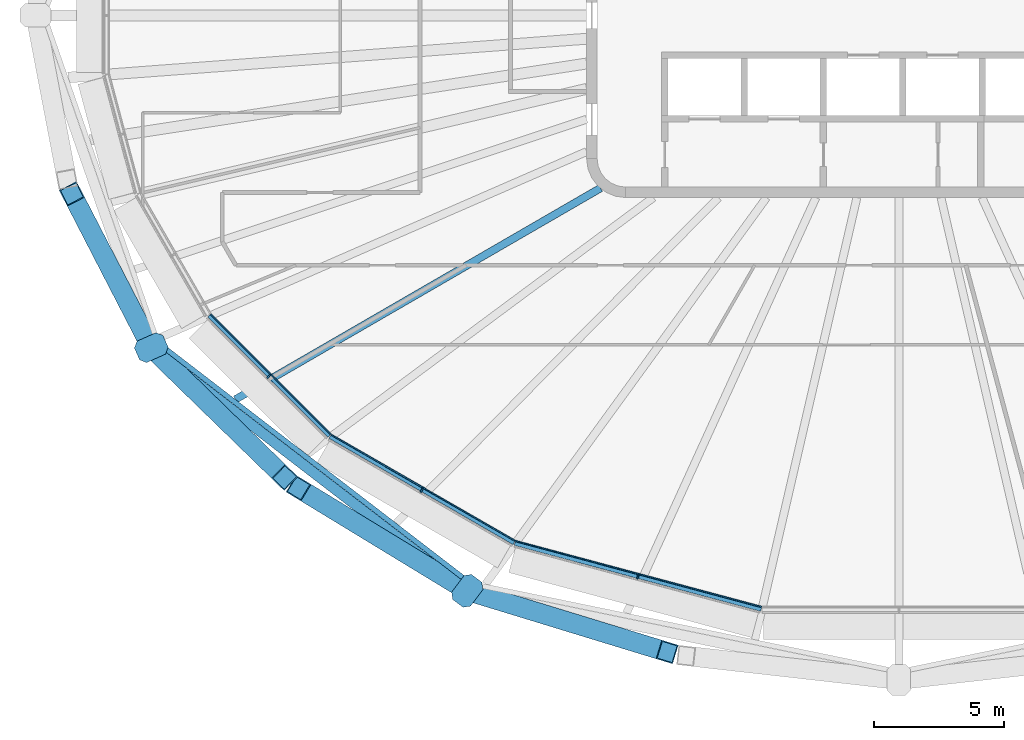
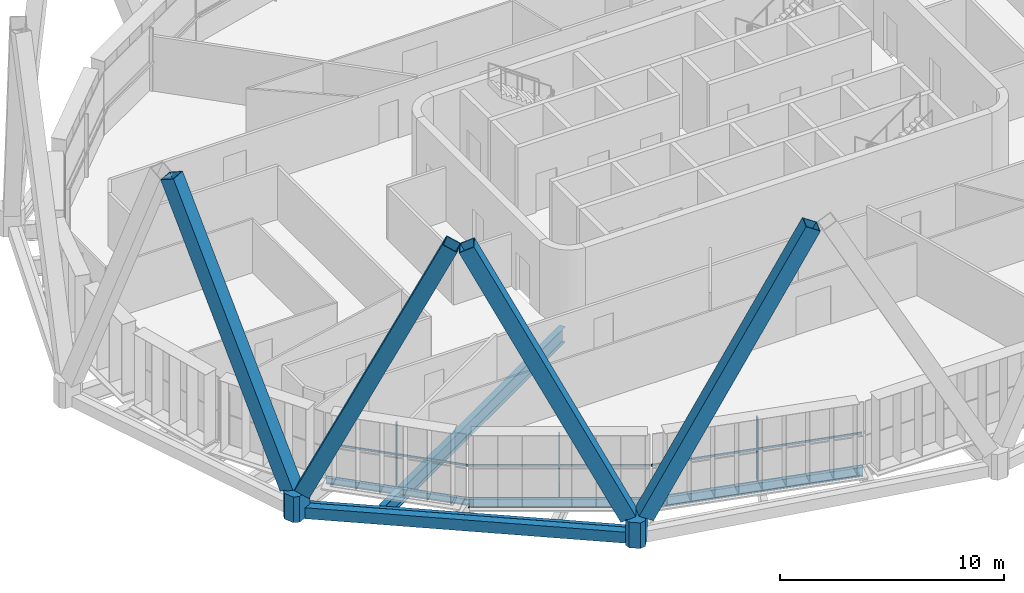
# One storey, part 1 of 23: 12 members, 6 beams, 3 elements without a shape of their own.
"""IFC4 building model written with IfcOpenShell, lengths in metres."""

import ifcopenshell
import ifcopenshell.guid

model = None  # the IFC model being written
_history = None  # IfcOwnerHistory: only IFC2X3 demands one
_inside = {}  # id of a spatial element -> (the spatial element, [elements in it])
_under = {}  # id of a project, library or spatial element -> (it, [spatial elements below it])
_declared = {}  # id of a project -> (the project, [libraries it declares])
_typed = {}  # id of a type object -> (the type object, [elements of that type])
_made_of = {}  # id of a material, layer set ... -> (it, [elements and type objects made of it])


def new_model(schema):
    """Start an empty IFC model of exactly this schema.

    Asked for "IFC4X3", IfcOpenShell would pick the latest addendum, in which some entities
    have other attributes; the version numbers below select the first issue.
    IFC2X3 requires an IfcOwnerHistory on every rooted entity: one is made here for all.
    """
    global model, _history
    if schema == "IFC4X3":
        model = ifcopenshell.file(schema_version=(4, 3, 0, 0))
    else:
        model = ifcopenshell.file(schema=schema)
    _inside.clear()
    _under.clear()
    _declared.clear()
    _typed.clear()
    _made_of.clear()
    _history = None
    if model.schema == "IFC2X3":
        org = make("IfcOrganization", Name="unknown")
        user = make(
            "IfcPersonAndOrganization",
            ThePerson=make("IfcPerson", FamilyName="unknown"),
            TheOrganization=org,
        )
        app = make(
            "IfcApplication",
            ApplicationDeveloper=org,
            Version="unknown",
            ApplicationFullName="unknown",
            ApplicationIdentifier="unknown",
        )
        _history = make(
            "IfcOwnerHistory",
            OwningUser=user,
            OwningApplication=app,
            ChangeAction="ADDED",
            CreationDate=0,
        )
    return model


def make(cls, **values):
    """One entity of the class cls with the attributes given. An attribute that is None is left unset."""
    return model.create_entity(
        cls, **{name: value for name, value in values.items() if value is not None}
    )


def rooted(cls, **values):
    """An entity with a GlobalId (a new one), such as an element, a storey or a relation."""
    return make(cls, GlobalId=ifcopenshell.guid.new(), OwnerHistory=_history, **values)


def si_unit(unit_type, name, prefix=None):
    """IfcSIUnit, for example si_unit("LENGTHUNIT", "METRE", prefix="MILLI")."""
    return make("IfcSIUnit", UnitType=unit_type, Prefix=prefix, Name=name)


def assignment(units):
    """IfcUnitAssignment: the units of a project."""
    return None if units is None else make("IfcUnitAssignment", Units=units)


def point(xyz):
    """IfcCartesianPoint."""
    return None if xyz is None else make("IfcCartesianPoint", Coordinates=xyz)


def direction(xyz):
    """IfcDirection."""
    return None if xyz is None else make("IfcDirection", DirectionRatios=xyz)


def frame(location, z_axis=None, x_axis=None):
    """IfcAxis2Placement3D, a coordinate frame: its origin and axes. An axis left out is left unset."""
    return make(
        "IfcAxis2Placement3D",
        Location=point(location),
        Axis=direction(z_axis),
        RefDirection=direction(x_axis),
    )


def frame_2d(location, x_axis=None):
    """IfcAxis2Placement2D, a coordinate frame in the plane: its origin and x axis."""
    return make(
        "IfcAxis2Placement2D", Location=point(location), RefDirection=direction(x_axis)
    )


def origin():
    """The frame at (0, 0, 0) with its axes left unset."""
    return frame((0.0, 0.0, 0.0))


def origin_2d():
    """The frame at (0, 0) in the plane with its x axis left unset."""
    return frame_2d((0.0, 0.0))


def place(relative_to, where):
    """IfcLocalPlacement: puts the frame where relative to a parent placement (None: the world)."""
    return make(
        "IfcLocalPlacement", PlacementRelTo=relative_to, RelativePlacement=where
    )


def context(
    kind, dimensions, precision=None, world=None, true_north=None, identifier=None
):
    """IfcGeometricRepresentationContext, for example the 3D "Model" context."""
    return make(
        "IfcGeometricRepresentationContext",
        ContextIdentifier=identifier,
        ContextType=kind,
        CoordinateSpaceDimension=dimensions,
        Precision=precision,
        WorldCoordinateSystem=world,
        TrueNorth=true_north,
    )


def subcontext(parent, identifier, kind, view, scale=None):
    """IfcGeometricRepresentationSubContext, for example "Body" below "Model"."""
    return make(
        "IfcGeometricRepresentationSubContext",
        ContextIdentifier=identifier,
        ContextType=kind,
        ParentContext=parent,
        TargetScale=scale,
        TargetView=view,
    )


def project(units=None, contexts=None):
    """IfcProject with its units and contexts."""
    return rooted(
        "IfcProject",
        Name="project",
        RepresentationContexts=contexts,
        UnitsInContext=assignment(units),
    )


def spatial(cls, under=None, at=None, **own):
    """A site, building, storey or space (cls), placed at a placement, below another one or the project."""
    s = rooted(cls, ObjectPlacement=at, **own)
    if under is not None:
        _under.setdefault(under.id(), (under, []))[1].append(s)
    return s


def polyline(points):
    """IfcPolyline through the points."""
    return make("IfcPolyline", Points=[point(p) for p in points])


def profile(cls, at=None, kind="AREA", **sizes):
    """A parametric profile (cls). Its sizes go by their IFC names, for example OverallWidth=200.0."""
    return make(cls, ProfileType=kind, Position=at, **sizes)


def rectangle(**sizes):
    """IfcRectangleProfileDef."""
    return profile("IfcRectangleProfileDef", **sizes)


def hollow_rectangle(**sizes):
    """IfcRectangleHollowProfileDef."""
    return profile("IfcRectangleHollowProfileDef", **sizes)


def i_section(**sizes):
    """IfcIShapeProfileDef."""
    return profile("IfcIShapeProfileDef", **sizes)


def outline(outer, holes=None, kind="AREA"):
    """IfcArbitraryClosedProfileDef: a profile drawn as a closed curve; with holes, ...WithVoids."""
    if holes is None:
        return make("IfcArbitraryClosedProfileDef", ProfileType=kind, OuterCurve=outer)
    return make(
        "IfcArbitraryProfileDefWithVoids",
        ProfileType=kind,
        OuterCurve=outer,
        InnerCurves=holes,
    )


def extrude(swept, where, along, depth):
    """IfcExtrudedAreaSolid: the profile swept, set in the frame where, extruded along a direction by depth."""
    return make(
        "IfcExtrudedAreaSolid",
        SweptArea=swept,
        Position=where,
        ExtrudedDirection=direction(along),
        Depth=depth,
    )


def shape(context_of_items, identifier, shape_type, items):
    """IfcShapeRepresentation: the items that make up one representation, for example the "Body"."""
    return make(
        "IfcShapeRepresentation",
        ContextOfItems=context_of_items,
        RepresentationIdentifier=identifier,
        RepresentationType=shape_type,
        Items=items,
    )


def material(Name=None, Category=None):
    """IfcMaterial."""
    return make("IfcMaterial", Name=Name, Category=Category)


def layer(
    of_material, thickness, ventilated=None, Name=None, Category=None, Priority=None
):
    """IfcMaterialLayer: one layer of a wall or slab, of a material (None: an air gap)."""
    return make(
        "IfcMaterialLayer",
        Material=of_material,
        LayerThickness=thickness,
        IsVentilated=ventilated,
        Name=Name,
        Category=Category,
        Priority=Priority,
    )


def layer_set(layers, Name=None):
    """IfcMaterialLayerSet."""
    return make("IfcMaterialLayerSet", MaterialLayers=layers, LayerSetName=Name)


def material_profile(
    of_material, cross_section, Name=None, Category=None, Priority=None
):
    """IfcMaterialProfile: a cross section and its material."""
    return make(
        "IfcMaterialProfile",
        Name=Name,
        Material=of_material,
        Profile=cross_section,
        Priority=Priority,
        Category=Category,
    )


def profile_set(profiles, Name=None, composite=None):
    """IfcMaterialProfileSet."""
    return make(
        "IfcMaterialProfileSet",
        Name=Name,
        MaterialProfiles=profiles,
        CompositeProfile=composite,
    )


def made_of(thing, what):
    """Note that an element or type object is made of a material, layer set ...; save() writes the relation."""
    if what is not None:
        _made_of.setdefault(what.id(), (what, []))[1].append(thing)
    return thing


def type_object(cls, material=None, **own):
    """A type object (cls), such as IfcWallType, which elements share."""
    return made_of(rooted(cls, **own), material)


def element(
    cls,
    number,
    at=None,
    inside=None,
    cuts=None,
    type_object=None,
    material=None,
    context=None,
    identifier="Body",
    shape_type=None,
    held_by="IfcProductDefinitionShape",
    body=None,
    shapes=None,
    **own,
):
    """One element of the class cls, such as IfcWall. Its Tag is "e" and its number.

    at: its placement. inside: the storey or other place that contains it. cuts: it is an
    opening in that element (IfcRelVoidsElement). A single representation is given by context,
    identifier, shape_type and body (its items); several are given by shapes. held_by: the class
    of the entity that holds the representations. save() writes the other relations.
    """
    e = rooted(cls, Tag="e%d" % number, ObjectPlacement=at, **own)
    if body is not None:
        shapes = [shape(context, identifier, shape_type, body)]
    if shapes is not None:
        e.Representation = make(held_by, Representations=shapes)
    if inside is not None:
        _inside.setdefault(inside.id(), (inside, []))[1].append(e)
    if cuts is not None:
        rooted(
            "IfcRelVoidsElement", RelatingBuildingElement=cuts, RelatedOpeningElement=e
        )
    if type_object is not None:
        _typed.setdefault(type_object.id(), (type_object, []))[1].append(e)
    return made_of(e, material)


def aggregate(whole, parts):
    """IfcRelAggregates: a whole, such as a stair, and the parts it consists of."""
    return rooted("IfcRelAggregates", RelatingObject=whole, RelatedObjects=parts)


def save(model, path):
    """Write the relations noted so far, then the file.

    IfcRelAggregates (storeys below a building ...), IfcRelContainedInSpatialStructure (elements
    in a storey), IfcRelDefinesByType, IfcRelAssociatesMaterial and IfcRelDeclares: one each for
    every whole, place, type object, material and project.
    """
    for whole, parts in _under.values():
        aggregate(whole, parts)
    for where, things in _inside.values():
        rooted(
            "IfcRelContainedInSpatialStructure",
            RelatedElements=things,
            RelatingStructure=where,
        )
    for kind, things in _typed.values():
        rooted("IfcRelDefinesByType", RelatedObjects=things, RelatingType=kind)
    for what, things in _made_of.values():
        rooted("IfcRelAssociatesMaterial", RelatedObjects=things, RelatingMaterial=what)
    for by, libraries in _declared.values():
        rooted("IfcRelDeclares", RelatingContext=by, RelatedDefinitions=libraries)
    model.write(path)


model = new_model("IFC4")

# Units and contexts
model_context = context("Model", 3, precision=1e-05, world=origin(), true_north=direction((0.0, 1.0)))
body_context = subcontext(model_context, "Body", "Model", "MODEL_VIEW")
ifc_project = project(units=[si_unit("LENGTHUNIT", "METRE"), si_unit("AREAUNIT", "SQUARE_METRE"), si_unit("VOLUMEUNIT", "CUBIC_METRE"), si_unit("PLANEANGLEUNIT", "RADIAN"), si_unit("MASSUNIT", "GRAM", prefix="KILO")], contexts=[model_context])

# Site, building, storey
site_placement = place(None, origin())
site = spatial("IfcSite", under=ifc_project, at=site_placement, CompositionType="ELEMENT")
building_placement = place(site_placement, origin())
building = spatial("IfcBuilding", under=site, at=building_placement, Name="Sahrelin Media Tower", CompositionType="ELEMENT")
storey_placement = place(building_placement, frame((0.0, 0.0, 217.60009765625)))
storey = spatial("IfcBuildingStorey", under=building, at=storey_placement, Name="L46", CompositionType="ELEMENT", Elevation=217.60009765625)

# Members
ifc_material_1 = material(Name="Steel S460", Category="steel")
ifc_material_profile_1 = material_profile(ifc_material_1, hollow_rectangle(XDim=0.75, YDim=0.75, WallThickness=0.0400390625, at=origin_2d()), Name="Diagrid diagonal DG6")
ifc_profile_set_1 = profile_set([ifc_material_profile_1], Name="Steel S460")
member_type_1 = type_object("IfcMemberType", Name="Diagrid diagonal DG6", PredefinedType="BRACE", material=ifc_profile_set_1)
member_1_placement = place(storey_placement, frame((-28.8671875, -12.49560546875, 0.699951171875), z_axis=(-0.182867726985, 0.354403022085, 0.917037563224), x_axis=(-0.888671710677, -0.458543989867, 0.0)))
element("IfcMember", 1, at=member_1_placement, inside=storey, type_object=member_type_1, Name="Diagrid diagonal D10-13", PredefinedType="BRACE", context=body_context, shape_type="SweptSolid", body=[
    extrude(hollow_rectangle(XDim=0.75, YDim=0.75, WallThickness=0.0400390625, at=origin_2d()), origin(), (0.0, 0.0, 1.0), 15.920654296875),
])
member_2_placement = place(storey_placement, frame((-28.492919921875, -12.994384765625, 0.699951171875), z_axis=(0.303560858535, -0.295441665911, 0.905850444173), x_axis=(0.697458219754, 0.716625447286, 0.0)))
element("IfcMember", 2, at=member_2_placement, inside=storey, type_object=member_type_1, Name="Diagrid diagonal D10-14", PredefinedType="BRACE", context=body_context, shape_type="SweptSolid", body=[
    extrude(hollow_rectangle(XDim=0.75, YDim=0.75, WallThickness=0.0400390625, at=origin_2d()), origin(), (0.0, 0.0, 1.0), 16.1171875),
])
member_3_placement = place(storey_placement, frame((-16.882568359375, -21.930908203125, 0.699951171875), z_axis=(-0.379598064611, 0.231069461193, 0.895830460214), x_axis=(-0.51996298769, -0.854188791446, 0.0)))
element("IfcMember", 3, at=member_3_placement, inside=storey, type_object=member_type_1, Name="Diagrid diagonal D10-15", PredefinedType="BRACE", context=body_context, shape_type="SweptSolid", body=[
    extrude(hollow_rectangle(XDim=0.75, YDim=0.75, WallThickness=0.0400390625, at=origin_2d()), origin(), (0.0, 0.0, 1.0), 16.297607421875),
])
member_4_placement = place(storey_placement, frame((-16.234375, -22.218994140625, 0.699951171875), z_axis=(0.444550458227, -0.135899842006, 0.885384731647), x_axis=(0.292346380443, 0.956312498006, 0.0)))
element("IfcMember", 4, at=member_4_placement, inside=storey, type_object=member_type_1, Name="Diagrid diagonal D10-16", PredefinedType="BRACE", context=body_context, shape_type="SweptSolid", body=[
    extrude(hollow_rectangle(XDim=0.75, YDim=0.75, WallThickness=0.0400390625, at=origin_2d()), origin(), (0.0, 0.0, 1.0), 16.48974609375),
])
ifc_material_profile_2 = material_profile(ifc_material_1, outline(polyline([(0.39990234375, -0.449951171875), (0.60009765625, -0.25), (0.60009765625, 0.25), (0.39990234375, 0.449951171875), (-0.39990234375, 0.449951171875), (-0.60009765625, 0.25), (-0.60009765625, -0.25), (-0.39990234375, -0.449951171875), (0.39990234375, -0.449951171875)])), Name="Diagrid node block 1200")
ifc_profile_set_2 = profile_set([ifc_material_profile_2], Name="Steel S460")
member_type_2 = type_object("IfcMemberType", Name="Diagrid node block 1200", PredefinedType="USERDEFINED", material=ifc_profile_set_2)
for number, where, z_axis, x_axis, name in (
    (5, (-28.7275390625, -12.76611328125, -0.7001953125), (0.0, 0.0, 1.0), (-0.91383202582, -0.406092389223, 0.0), "Diagrid node N10-07"),
    (6, (-16.5859375, -22.111572265625, -0.7001953125), (0.0, 0.0, 1.0), (-0.600053089558, -0.799960180079, 0.0), "Diagrid node N10-08"),
):
    element("IfcMember", number, at=place(storey_placement, frame(where, z_axis=z_axis, x_axis=x_axis)), inside=storey, type_object=member_type_2, Name=name, ObjectType="NODE", PredefinedType="USERDEFINED", context=body_context, shape_type="SweptSolid", body=[
        extrude(outline(polyline([(0.39990234375, -0.449951171875), (0.60009765625, -0.25), (0.60009765625, 0.25), (0.39990234375, 0.449951171875), (-0.39990234375, 0.449951171875), (-0.60009765625, 0.25), (-0.60009765625, -0.25), (-0.39990234375, -0.449951171875), (0.39990234375, -0.449951171875)])), origin(), (0.0, 0.0, 1.0), 1.400146484375),
    ])

# Beams
ifc_material_profile_3 = material_profile(ifc_material_1, hollow_rectangle(XDim=0.39990234375, YDim=0.60009765625, WallThickness=0.030029296875, at=origin_2d()), Name="Diagrid ring beam RB1")
ifc_profile_set_3 = profile_set([ifc_material_profile_3], Name="Steel S460")
beam_type_1 = type_object("IfcBeamType", Name="Diagrid ring beam RB1", PredefinedType="BEAM", material=ifc_profile_set_3)
beam_1_placement = place(storey_placement, frame((-28.7275390625, -12.76611328125, -0.4501953125), z_axis=(0.792442102004, -0.609947141129, 0.0), x_axis=(0.609947141129, 0.792442102004, 0.0)))
element("IfcBeam", 7, at=beam_1_placement, inside=storey, type_object=beam_type_1, Name="Diagrid ring beam RB10-07", PredefinedType="BEAM", context=body_context, shape_type="SweptSolid", body=[
    extrude(hollow_rectangle(XDim=0.39990234375, YDim=0.60009765625, WallThickness=0.030029296875, at=origin_2d()), origin(), (0.0, 0.0, 1.0), 15.32177734375),
])
ifc_material_2 = material(Name="Steel S355", Category="steel")
ifc_material_profile_4 = material_profile(ifc_material_2, i_section(OverallWidth=0.17138671875, OverallDepth=0.35498046875, WebThickness=0.00732421875, FlangeThickness=0.011474609375, FilletRadius=0.01025390625, at=origin_2d()), Name="UB 356x171x51")
ifc_profile_set_4 = profile_set([ifc_material_profile_4], Name="Steel S355")
beam_type_2 = type_object("IfcBeamType", Name="Edge beam EB3", PredefinedType="BEAM", material=ifc_profile_set_4)
beam_2_placement = place(storey_placement, frame((-21.87353515625, -16.15185546875, -0.32763671875), z_axis=(-0.707088109482, 0.707125452398, 0.0), x_axis=(-0.707125452398, -0.707088109482, 0.0)))
element("IfcBeam", 8, at=beam_2_placement, inside=storey, type_object=beam_type_2, Name="Edge beam L46-10", PredefinedType="BEAM", context=body_context, shape_type="SweptSolid", body=[
    extrude(i_section(OverallWidth=0.17138671875, OverallDepth=0.35498046875, WebThickness=0.00732421875, FlangeThickness=0.011474609375, FilletRadius=0.01025390625, at=origin_2d()), origin(), (0.0, 0.0, 1.0), 6.537841796875),
])
ifc_material_profile_5 = material_profile(ifc_material_2, i_section(OverallWidth=0.1904296875, OverallDepth=0.45703125, WebThickness=0.009033203125, FlangeThickness=0.014404296875, FilletRadius=0.01025390625, at=origin_2d()), Name="UB 457x191x74")
ifc_profile_set_5 = profile_set([ifc_material_profile_5], Name="Steel S355")
beam_type_3 = type_object("IfcBeamType", Name="Edge beam EB5", PredefinedType="BEAM", material=ifc_profile_set_5)
beam_3_placement = place(storey_placement, frame((-14.77978515625, -20.251708984375, -0.378662109375), z_axis=(-0.866015284814, 0.500017526161, 0.0), x_axis=(-0.500017526161, -0.866015284814, 0.0)))
element("IfcBeam", 9, at=beam_3_placement, inside=storey, type_object=beam_type_3, Name="Edge beam L46-09", PredefinedType="BEAM", context=body_context, shape_type="SweptSolid", body=[
    extrude(i_section(OverallWidth=0.1904296875, OverallDepth=0.45703125, WebThickness=0.009033203125, FlangeThickness=0.014404296875, FilletRadius=0.01025390625, at=origin_2d()), origin(), (0.0, 0.0, 1.0), 8.164794921875),
])
ifc_material_profile_6 = material_profile(ifc_material_2, i_section(OverallWidth=0.208740234375, OverallDepth=0.5283203125, WebThickness=0.009521484375, FlangeThickness=0.01318359375, FilletRadius=0.0126953125, at=origin_2d()), Name="UB 533x210x82")
ifc_profile_set_6 = profile_set([ifc_material_profile_6], Name="Steel S355")
beam_type_4 = type_object("IfcBeamType", Name="Edge beam EB6", PredefinedType="BEAM", material=ifc_profile_set_6)
beam_4_placement = place(storey_placement, frame((-5.2900390625, -22.79833984375, -0.414306640625), z_axis=(-0.965925693265, 0.258819541556, 0.0), x_axis=(-0.258819541556, -0.965925693265, 0.0)))
element("IfcBeam", 10, at=beam_4_placement, inside=storey, type_object=beam_type_4, Name="Edge beam L46-08", PredefinedType="BEAM", context=body_context, shape_type="SweptSolid", body=[
    extrude(i_section(OverallWidth=0.208740234375, OverallDepth=0.5283203125, WebThickness=0.009521484375, FlangeThickness=0.01318359375, FilletRadius=0.0126953125, at=origin_2d()), origin(), (0.0, 0.0, 1.0), 9.796875),
])

# Curtain wall, member
ifc_material_3 = material(Name="Champagne anodised aluminium 6063-T6", Category="aluminium")
ifc_layer = layer(ifc_material_3, 0.14990234375)
ifc_layer_set = layer_set([ifc_layer], Name="Tower ribbon curtain wall")
curtain_wall_type = type_object("IfcCurtainWallType", Name="Tower ribbon curtain wall", PredefinedType="NOTDEFINED", material=ifc_layer_set)
curtain_wall_1_placement = place(storey_placement, frame((-24.291015625, -13.9462890625, 0.0), z_axis=(0.0, 0.0, 1.0), x_axis=(1.0, 0.0, 0.0)))
curtain_wall_1 = element("IfcCurtainWall", 11, at=curtain_wall_1_placement, inside=storey, type_object=curtain_wall_type, Name="L46:CW:L46-15", PredefinedType="NOTDEFINED")
ifc_material_profile_7 = material_profile(ifc_material_3, rectangle(XDim=0.06005859375, YDim=0.175048828125, at=origin_2d()), Name="Mullion 60x175")
ifc_profile_set_7 = profile_set([ifc_material_profile_7], Name="Champagne anodised aluminium 6063-T6")
member_type_3 = type_object("IfcMemberType", Name="Mullion 60x175 CW1B", PredefinedType="MULLION", material=ifc_profile_set_7)
member_5_placement = place(storey_placement, frame((-24.215087890625, -13.870361328125, 0.0), z_axis=(0.0, 0.0, 1.0), x_axis=(0.707106781187, -0.707106781187, 0.0)))
member_5 = element("IfcMember", 12, at=member_5_placement, type_object=member_type_3, Name="L46:CWM:L46-15", PredefinedType="MULLION", context=body_context, shape_type="SweptSolid", body=[
    extrude(rectangle(XDim=0.06005859375, YDim=0.175048828125, at=origin_2d()), origin(), (0.0, 0.0, 1.0), 3.448486328125),
])

curtain_wall_2_placement = place(storey_placement, frame((-18.39013671875, -18.34033203125, 0.0), z_axis=(0.0, 0.0, 1.0), x_axis=(1.0, 0.0, 0.0)))
curtain_wall_2 = element("IfcCurtainWall", 13, at=curtain_wall_2_placement, inside=storey, type_object=curtain_wall_type, Name="L46:CW:L46-16", PredefinedType="NOTDEFINED")
member_6_placement = place(storey_placement, frame((-18.33642578125, -18.247314453125, 0.0), z_axis=(0.0, 0.0, 1.0), x_axis=(0.866026276448, -0.4999984885, 0.0)))
member_6 = element("IfcMember", 14, at=member_6_placement, type_object=member_type_3, Name="L46:CWM:L46-16", PredefinedType="MULLION", context=body_context, shape_type="SweptSolid", body=[
    extrude(rectangle(XDim=0.06005859375, YDim=0.175048828125, at=origin_2d()), origin(), (0.0, 0.0, 1.0), 3.448486328125),
])

curtain_wall_3_placement = place(storey_placement, frame((-10.060302734375, -21.67529296875, 0.0), z_axis=(0.0, 0.0, 1.0), x_axis=(1.0, 0.0, 0.0)))
curtain_wall_3 = element("IfcCurtainWall", 15, at=curtain_wall_3_placement, inside=storey, type_object=curtain_wall_type, Name="L46:CW:L46-17", PredefinedType="NOTDEFINED")
member_7_placement = place(storey_placement, frame((-10.03271484375, -21.571533203125, 0.0), z_axis=(0.0, 0.0, 1.0), x_axis=(0.965924922834, -0.258822416818, 0.0)))
member_7 = element("IfcMember", 16, at=member_7_placement, type_object=member_type_3, Name="L46:CWM:L46-17", PredefinedType="MULLION", context=body_context, shape_type="SweptSolid", body=[
    extrude(rectangle(XDim=0.06005859375, YDim=0.175048828125, at=origin_2d()), origin(), (0.0, 0.0, 1.0), 3.448486328125),
])

# Beams
ifc_material_profile_8 = material_profile(ifc_material_2, i_section(OverallWidth=0.291748046875, OverallDepth=0.8349609375, WebThickness=0.013916015625, FlangeThickness=0.018798828125, FilletRadius=0.017822265625, at=origin_2d()), Name="UB 838x292x176")
ifc_profile_set_8 = profile_set([ifc_material_profile_8], Name="Steel S355")
beam_type_5 = type_object("IfcBeamType", Name="Radial secondary beam SB10", PredefinedType="BEAM", material=ifc_profile_set_8)
beam_5_placement = place(storey_placement, frame((-11.464111328125, -6.634765625, -0.567626953125), z_axis=(-0.865492266569, -0.500922285899, 0.0), x_axis=(0.500922285899, -0.865492266569, 0.0)))
element("IfcBeam", 17, at=beam_5_placement, inside=storey, type_object=beam_type_5, Name="Secondary beam L46-15", PredefinedType="BEAM", context=body_context, shape_type="SweptSolid", body=[
    extrude(i_section(OverallWidth=0.291748046875, OverallDepth=0.8349609375, WebThickness=0.013916015625, FlangeThickness=0.018798828125, FilletRadius=0.017822265625, at=origin_2d()), origin(), (0.0, 0.0, 1.0), 16.21142578125),
])
ifc_material_profile_9 = material_profile(ifc_material_2, i_section(OverallWidth=0.1904296875, OverallDepth=0.45703125, WebThickness=0.009033203125, FlangeThickness=0.014404296875, FilletRadius=0.01025390625, at=origin_2d()), Name="UB 457x191x74")
ifc_profile_set_9 = profile_set([ifc_material_profile_9], Name="Steel S355")
beam_type_6 = type_object("IfcBeamType", Name="Tie chord TC5", PredefinedType="BEAM", material=ifc_profile_set_9)
beam_6_placement = place(storey_placement, frame((-16.45751953125, -21.831298828125, -0.378662109375), z_axis=(-0.792446783921, 0.609941058344, 0.0), x_axis=(-0.609941058344, -0.792446783921, 0.0)))
element("IfcBeam", 18, at=beam_6_placement, inside=storey, type_object=beam_type_6, Name="Tie chord L46-05", PredefinedType="BEAM", context=body_context, shape_type="SweptSolid", body=[
    extrude(i_section(OverallWidth=0.1904296875, OverallDepth=0.45703125, WebThickness=0.009033203125, FlangeThickness=0.014404296875, FilletRadius=0.01025390625, at=origin_2d()), origin(), (0.0, 0.0, 1.0), 15.1630859375),
])

# Member
ifc_material_profile_10 = material_profile(ifc_material_3, rectangle(XDim=0.050048828125, YDim=0.110107421875, at=origin_2d()), Name="Transom 50x110")
ifc_profile_set_10 = profile_set([ifc_material_profile_10], Name="Champagne anodised aluminium 6063-T6")
member_type_4 = type_object("IfcMemberType", Name="Transom 50x110 CW1B", PredefinedType="USERDEFINED", material=ifc_profile_set_10)
member_8_placement = place(storey_placement, frame((-26.435791015625, -11.490478515625, 1.599853515625), z_axis=(0.707088019315, -0.70712554256, 0.0), x_axis=(0.70712554256, 0.707088019315, 0.0)))
member_8 = element("IfcMember", 19, at=member_8_placement, type_object=member_type_4, Name="L46:CWT:L46-15", ObjectType="TRANSOM", PredefinedType="USERDEFINED", context=body_context, shape_type="SweptSolid", body=[
    extrude(rectangle(XDim=0.050048828125, YDim=0.110107421875, at=origin_2d()), origin(), (0.0, 0.0, 1.0), 6.50634765625),
])

aggregate(curtain_wall_1, [member_5, member_8])

member_9_placement = place(storey_placement, frame((-21.802001953125, -16.11669921875, 1.599853515625), z_axis=(0.866040125199, -0.499974500895, 0.0), x_axis=(0.499974500895, 0.866040125199, 0.0)))
member_9 = element("IfcMember", 20, at=member_9_placement, type_object=member_type_4, Name="L46:CWT:L46-16", ObjectType="TRANSOM", PredefinedType="USERDEFINED", context=body_context, shape_type="SweptSolid", body=[
    extrude(rectangle(XDim=0.050048828125, YDim=0.110107421875, at=origin_2d()), origin(), (0.0, 0.0, 1.0), 8.13330078125),
])

aggregate(curtain_wall_2, [member_6, member_9])

member_10_placement = place(storey_placement, frame((-14.719970703125, -20.19921875, 1.599853515625), z_axis=(0.965924282198, -0.258824807661, 0.0), x_axis=(0.258824807661, 0.965924282198, 0.0)))
member_10 = element("IfcMember", 21, at=member_10_placement, type_object=member_type_4, Name="L46:CWT:L46-17", ObjectType="TRANSOM", PredefinedType="USERDEFINED", context=body_context, shape_type="SweptSolid", body=[
    extrude(rectangle(XDim=0.050048828125, YDim=0.110107421875, at=origin_2d()), origin(), (0.0, 0.0, 1.0), 9.765625),
])

aggregate(curtain_wall_3, [member_7, member_10])

save(model, "model.ifc")
